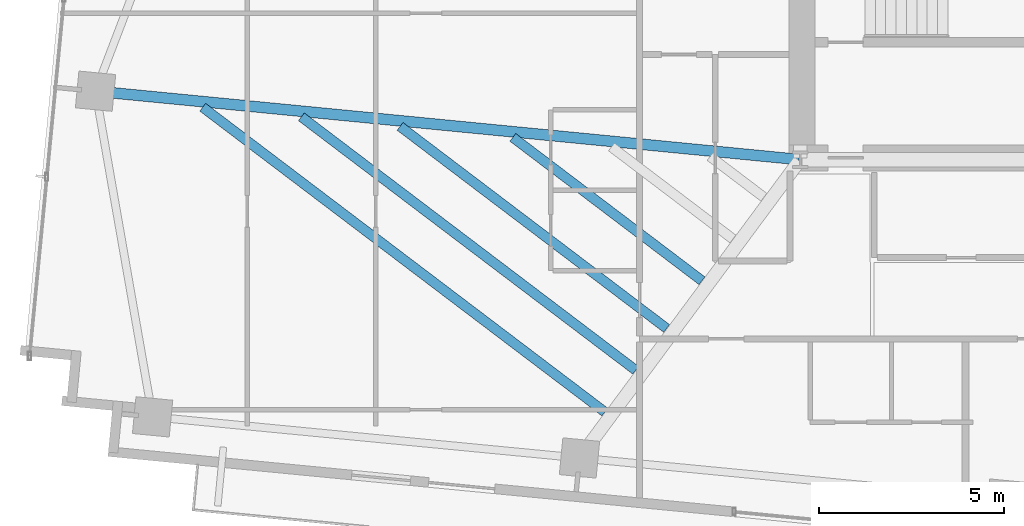
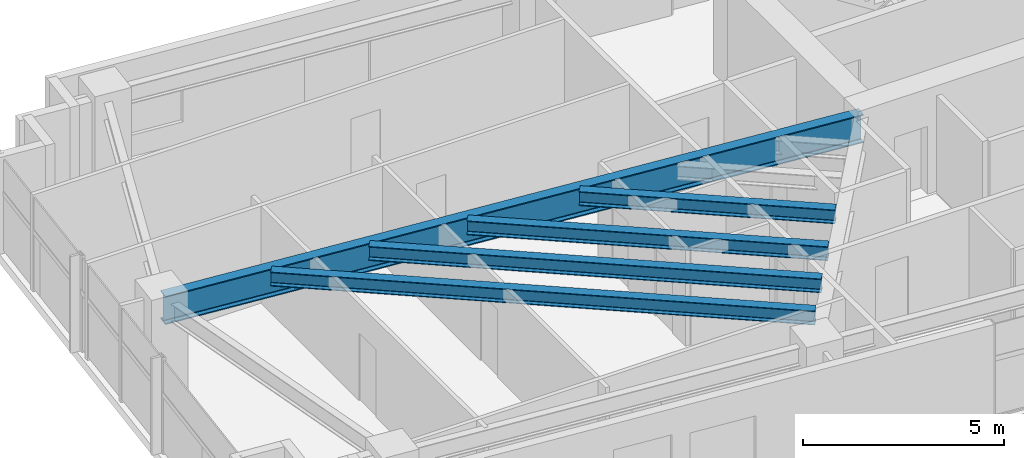
# One storey, part 3 of 20: 5 beams.
"""IFC4 building model written with IfcOpenShell, lengths in metres."""

from ifc_helpers import new_model, si_unit, direction, frame, origin, origin_2d, place, context, subcontext, project, spatial, i_section, extrude, source, transform, mapped, material, material_profile, profile_set, type_object, type_shapes, element, save


model = new_model("IFC4")

# Units and contexts
model_context = context("Model", 3, precision=1e-05, world=origin(), true_north=direction((0.0, 1.0)))
body_context = subcontext(model_context, "Body", "Model", "MODEL_VIEW")
ifc_project = project(units=[si_unit("LENGTHUNIT", "METRE"), si_unit("AREAUNIT", "SQUARE_METRE"), si_unit("VOLUMEUNIT", "CUBIC_METRE"), si_unit("PLANEANGLEUNIT", "RADIAN"), si_unit("MASSUNIT", "GRAM", prefix="KILO")], contexts=[model_context])

# Site, building, storey
site_placement = place(None, origin())
site = spatial("IfcSite", under=ifc_project, at=site_placement, CompositionType="ELEMENT")
building_placement = place(site_placement, origin())
building = spatial("IfcBuilding", under=site, at=building_placement, Name="Astriad Promenade Condominiums", CompositionType="ELEMENT")
storey_placement = place(building_placement, frame((0.0, 0.0, 153.39990234375)))
storey = spatial("IfcBuildingStorey", under=building, at=storey_placement, Name="L44", CompositionType="ELEMENT", Elevation=153.39990234375)

# Beams
ifc_material = material(Name="Steel ASTM A992 Grade 50", Category="steel")
ifc_material_profile_1 = material_profile(ifc_material, i_section(OverallWidth=0.2919921875, OverallDepth=0.85888671875, WebThickness=0.01708984375, FlangeThickness=0.031005859375, FilletRadius=0.02294921875, at=origin_2d()), Name="W33X169")
ifc_profile_set_1 = profile_set([ifc_material_profile_1], Name="Steel ASTM A992 Grade 50")
beam_type_1 = type_object("IfcBeamType", Name="STEEL PRIMARY GIRDER W33X169", PredefinedType="BEAM", material=ifc_profile_set_1)
shared_shape_1 = source(origin(), body_context, "Body", "SweptSolid", [
    extrude(i_section(OverallWidth=0.2919921875, OverallDepth=0.85888671875, WebThickness=0.01708984375, FlangeThickness=0.031005859375, FilletRadius=0.02294921875, at=origin_2d()), origin(), (0.0, 0.0, 1.0), 19.07177734375),
])
type_shapes(beam_type_1, [shared_shape_1])
beam_1_placement = place(storey_placement, frame((7.377685546875, 19.247802734375, 2.510498046875), z_axis=(0.995314830032, -0.096687068001, 0.0), x_axis=(0.096687068001, 0.995314830032, 0.0)))
element("IfcBeam", 1, at=beam_1_placement, inside=storey, type_object=beam_type_1, Name="Primary Floor Girder PG-WM-L44", PredefinedType="BEAM", context=body_context, shape_type="MappedRepresentation", body=[
    mapped(shared_shape_1, transform((0.0, 0.0, 0.0), scale=1.0)),
])
ifc_material_profile_2 = material_profile(ifc_material, i_section(OverallWidth=0.26318359375, OverallDepth=0.425537109375, WebThickness=0.01318359375, FlangeThickness=0.022216796875, FilletRadius=0.013916015625, at=origin_2d()), Name="W16X89")
ifc_profile_set_2 = profile_set([ifc_material_profile_2], Name="Steel ASTM A992 Grade 50")
beam_type_2 = type_object("IfcBeamType", Name="STEEL FLOOR JOIST W16X89", PredefinedType="JOIST", material=ifc_profile_set_2)
shared_shape_2 = source(origin(), body_context, "Body", "SweptSolid", [
    extrude(i_section(OverallWidth=0.26318359375, OverallDepth=0.425537109375, WebThickness=0.01318359375, FlangeThickness=0.022216796875, FilletRadius=0.013916015625, at=origin_2d()), origin(), (0.0, 0.0, 1.0), 13.64697265625),
])
beam_2_placement = place(storey_placement, frame((10.236572265625, 18.818115234375, 2.727294921875), z_axis=(0.796973667543, -0.604014050534, 0.0), x_axis=(0.604014050534, 0.796973667543, 0.0)))
element("IfcBeam", 2, at=beam_2_placement, inside=storey, type_object=beam_type_2, Name="Secondary Composite Floor Joist JW1-1-L44", PredefinedType="JOIST", context=body_context, shape_type="MappedRepresentation", body=[
    mapped(shared_shape_2, transform((0.0, 0.0, 0.0), scale=1.0)),
])
shared_shape_3 = source(origin(), body_context, "Body", "SweptSolid", [
    extrude(i_section(OverallWidth=0.26318359375, OverallDepth=0.425537109375, WebThickness=0.01318359375, FlangeThickness=0.022216796875, FilletRadius=0.013916015625, at=origin_2d()), origin(), (0.0, 0.0, 1.0), 11.347412109375),
])
beam_3_placement = place(storey_placement, frame((12.9052734375, 18.558837890625, 2.727294921875), z_axis=(0.796976964849, -0.60400969984, 0.0), x_axis=(0.60400969984, 0.796976964849, 0.0)))
element("IfcBeam", 3, at=beam_3_placement, inside=storey, type_object=beam_type_2, Name="Secondary Composite Floor Joist JW1-2-L44", PredefinedType="JOIST", context=body_context, shape_type="MappedRepresentation", body=[
    mapped(shared_shape_3, transform((0.0, 0.0, 0.0), scale=1.0)),
])
shared_shape_4 = source(origin(), body_context, "Body", "SweptSolid", [
    extrude(i_section(OverallWidth=0.26318359375, OverallDepth=0.425537109375, WebThickness=0.01318359375, FlangeThickness=0.022216796875, FilletRadius=0.013916015625, at=origin_2d()), origin(), (0.0, 0.0, 1.0), 9.048095703125),
])
beam_4_placement = place(storey_placement, frame((15.573974609375, 18.299560546875, 2.727294921875), z_axis=(0.796981937997, -0.604003137829, 0.0), x_axis=(0.604003137829, 0.796981937997, 0.0)))
element("IfcBeam", 4, at=beam_4_placement, inside=storey, type_object=beam_type_2, Name="Secondary Composite Floor Joist JW1-3-L44", PredefinedType="JOIST", context=body_context, shape_type="MappedRepresentation", body=[
    mapped(shared_shape_4, transform((0.0, 0.0, 0.0), scale=1.0)),
])
shared_shape_5 = source(origin(), body_context, "Body", "SweptSolid", [
    extrude(i_section(OverallWidth=0.26318359375, OverallDepth=0.425537109375, WebThickness=0.01318359375, FlangeThickness=0.022216796875, FilletRadius=0.013916015625, at=origin_2d()), origin(), (0.0, 0.0, 1.0), 6.420654296875),
])
type_shapes(beam_type_2, [shared_shape_2, shared_shape_3, shared_shape_4, shared_shape_5])
beam_5_placement = place(storey_placement, frame((18.6240234375, 18.00341796875, 2.727294921875), z_axis=(0.796964567146, -0.604026057976, 0.0), x_axis=(0.604026057976, 0.796964567146, 0.0)))
element("IfcBeam", 5, at=beam_5_placement, inside=storey, type_object=beam_type_2, Name="Secondary Composite Floor Joist JW1-4-L44", PredefinedType="JOIST", context=body_context, shape_type="MappedRepresentation", body=[
    mapped(shared_shape_5, transform((0.0, 0.0, 0.0), scale=1.0)),
])

save(model, "model.ifc")
